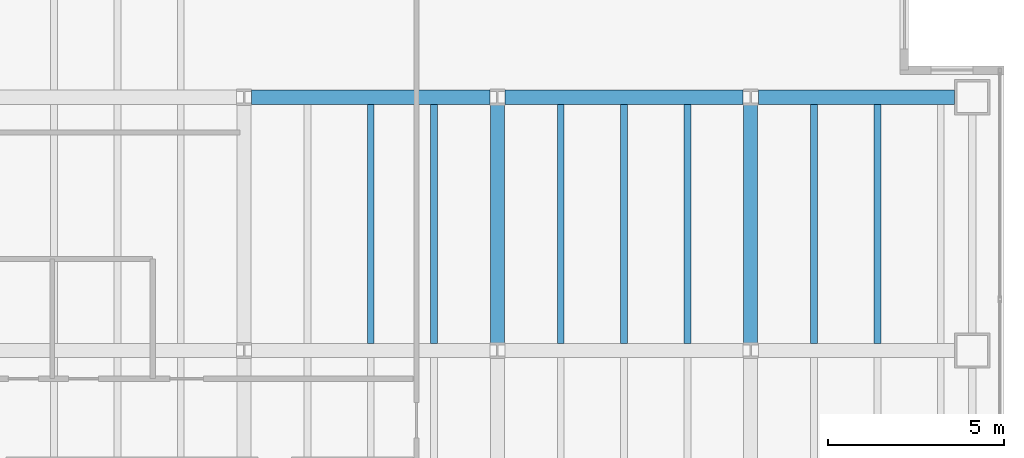
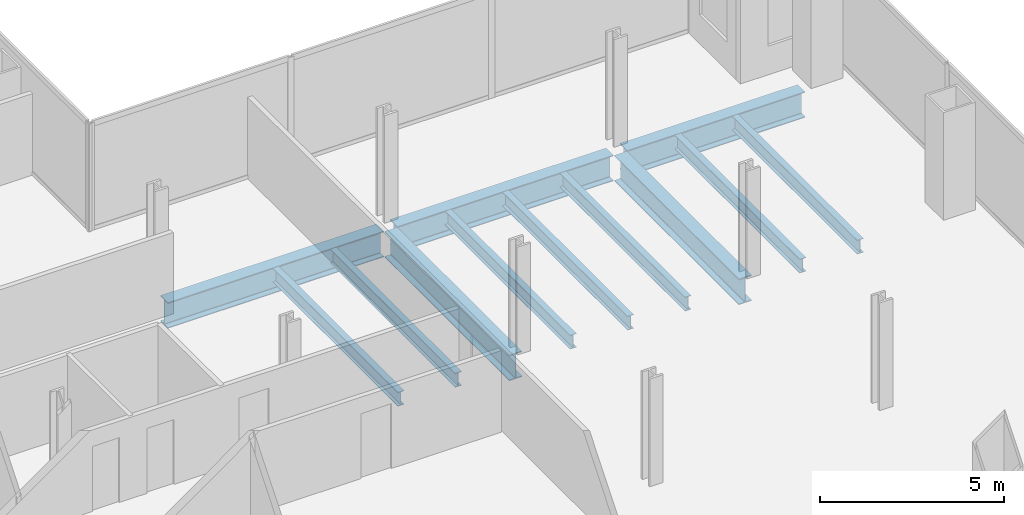
# One storey, part 11 of 23: 12 beams.
"""IFC4 building model written with IfcOpenShell, lengths in metres."""

import ifcopenshell
import ifcopenshell.guid

model = None  # the IFC model being written
_history = None  # IfcOwnerHistory: only IFC2X3 demands one
_inside = {}  # id of a spatial element -> (the spatial element, [elements in it])
_under = {}  # id of a project, library or spatial element -> (it, [spatial elements below it])
_declared = {}  # id of a project -> (the project, [libraries it declares])
_typed = {}  # id of a type object -> (the type object, [elements of that type])
_made_of = {}  # id of a material, layer set ... -> (it, [elements and type objects made of it])


def new_model(schema):
    """Start an empty IFC model of exactly this schema.

    Asked for "IFC4X3", IfcOpenShell would pick the latest addendum, in which some entities
    have other attributes; the version numbers below select the first issue.
    IFC2X3 requires an IfcOwnerHistory on every rooted entity: one is made here for all.
    """
    global model, _history
    if schema == "IFC4X3":
        model = ifcopenshell.file(schema_version=(4, 3, 0, 0))
    else:
        model = ifcopenshell.file(schema=schema)
    _inside.clear()
    _under.clear()
    _declared.clear()
    _typed.clear()
    _made_of.clear()
    _history = None
    if model.schema == "IFC2X3":
        org = make("IfcOrganization", Name="unknown")
        user = make(
            "IfcPersonAndOrganization",
            ThePerson=make("IfcPerson", FamilyName="unknown"),
            TheOrganization=org,
        )
        app = make(
            "IfcApplication",
            ApplicationDeveloper=org,
            Version="unknown",
            ApplicationFullName="unknown",
            ApplicationIdentifier="unknown",
        )
        _history = make(
            "IfcOwnerHistory",
            OwningUser=user,
            OwningApplication=app,
            ChangeAction="ADDED",
            CreationDate=0,
        )
    return model


def make(cls, **values):
    """One entity of the class cls with the attributes given. An attribute that is None is left unset."""
    return model.create_entity(
        cls, **{name: value for name, value in values.items() if value is not None}
    )


def rooted(cls, **values):
    """An entity with a GlobalId (a new one), such as an element, a storey or a relation."""
    return make(cls, GlobalId=ifcopenshell.guid.new(), OwnerHistory=_history, **values)


def si_unit(unit_type, name, prefix=None):
    """IfcSIUnit, for example si_unit("LENGTHUNIT", "METRE", prefix="MILLI")."""
    return make("IfcSIUnit", UnitType=unit_type, Prefix=prefix, Name=name)


def assignment(units):
    """IfcUnitAssignment: the units of a project."""
    return None if units is None else make("IfcUnitAssignment", Units=units)


def point(xyz):
    """IfcCartesianPoint."""
    return None if xyz is None else make("IfcCartesianPoint", Coordinates=xyz)


def direction(xyz):
    """IfcDirection."""
    return None if xyz is None else make("IfcDirection", DirectionRatios=xyz)


def frame(location, z_axis=None, x_axis=None):
    """IfcAxis2Placement3D, a coordinate frame: its origin and axes. An axis left out is left unset."""
    return make(
        "IfcAxis2Placement3D",
        Location=point(location),
        Axis=direction(z_axis),
        RefDirection=direction(x_axis),
    )


def frame_2d(location, x_axis=None):
    """IfcAxis2Placement2D, a coordinate frame in the plane: its origin and x axis."""
    return make(
        "IfcAxis2Placement2D", Location=point(location), RefDirection=direction(x_axis)
    )


def origin():
    """The frame at (0, 0, 0) with its axes left unset."""
    return frame((0.0, 0.0, 0.0))


def origin_2d():
    """The frame at (0, 0) in the plane with its x axis left unset."""
    return frame_2d((0.0, 0.0))


def place(relative_to, where):
    """IfcLocalPlacement: puts the frame where relative to a parent placement (None: the world)."""
    return make(
        "IfcLocalPlacement", PlacementRelTo=relative_to, RelativePlacement=where
    )


def context(
    kind, dimensions, precision=None, world=None, true_north=None, identifier=None
):
    """IfcGeometricRepresentationContext, for example the 3D "Model" context."""
    return make(
        "IfcGeometricRepresentationContext",
        ContextIdentifier=identifier,
        ContextType=kind,
        CoordinateSpaceDimension=dimensions,
        Precision=precision,
        WorldCoordinateSystem=world,
        TrueNorth=true_north,
    )


def subcontext(parent, identifier, kind, view, scale=None):
    """IfcGeometricRepresentationSubContext, for example "Body" below "Model"."""
    return make(
        "IfcGeometricRepresentationSubContext",
        ContextIdentifier=identifier,
        ContextType=kind,
        ParentContext=parent,
        TargetScale=scale,
        TargetView=view,
    )


def project(units=None, contexts=None):
    """IfcProject with its units and contexts."""
    return rooted(
        "IfcProject",
        Name="project",
        RepresentationContexts=contexts,
        UnitsInContext=assignment(units),
    )


def spatial(cls, under=None, at=None, **own):
    """A site, building, storey or space (cls), placed at a placement, below another one or the project."""
    s = rooted(cls, ObjectPlacement=at, **own)
    if under is not None:
        _under.setdefault(under.id(), (under, []))[1].append(s)
    return s


def profile(cls, at=None, kind="AREA", **sizes):
    """A parametric profile (cls). Its sizes go by their IFC names, for example OverallWidth=200.0."""
    return make(cls, ProfileType=kind, Position=at, **sizes)


def i_section(**sizes):
    """IfcIShapeProfileDef."""
    return profile("IfcIShapeProfileDef", **sizes)


def extrude(swept, where, along, depth):
    """IfcExtrudedAreaSolid: the profile swept, set in the frame where, extruded along a direction by depth."""
    return make(
        "IfcExtrudedAreaSolid",
        SweptArea=swept,
        Position=where,
        ExtrudedDirection=direction(along),
        Depth=depth,
    )


def shape(context_of_items, identifier, shape_type, items):
    """IfcShapeRepresentation: the items that make up one representation, for example the "Body"."""
    return make(
        "IfcShapeRepresentation",
        ContextOfItems=context_of_items,
        RepresentationIdentifier=identifier,
        RepresentationType=shape_type,
        Items=items,
    )


def material(Name=None, Category=None):
    """IfcMaterial."""
    return make("IfcMaterial", Name=Name, Category=Category)


def material_profile(
    of_material, cross_section, Name=None, Category=None, Priority=None
):
    """IfcMaterialProfile: a cross section and its material."""
    return make(
        "IfcMaterialProfile",
        Name=Name,
        Material=of_material,
        Profile=cross_section,
        Priority=Priority,
        Category=Category,
    )


def profile_set(profiles, Name=None, composite=None):
    """IfcMaterialProfileSet."""
    return make(
        "IfcMaterialProfileSet",
        Name=Name,
        MaterialProfiles=profiles,
        CompositeProfile=composite,
    )


def made_of(thing, what):
    """Note that an element or type object is made of a material, layer set ...; save() writes the relation."""
    if what is not None:
        _made_of.setdefault(what.id(), (what, []))[1].append(thing)
    return thing


def type_object(cls, material=None, **own):
    """A type object (cls), such as IfcWallType, which elements share."""
    return made_of(rooted(cls, **own), material)


def element(
    cls,
    number,
    at=None,
    inside=None,
    cuts=None,
    type_object=None,
    material=None,
    context=None,
    identifier="Body",
    shape_type=None,
    held_by="IfcProductDefinitionShape",
    body=None,
    shapes=None,
    **own,
):
    """One element of the class cls, such as IfcWall. Its Tag is "e" and its number.

    at: its placement. inside: the storey or other place that contains it. cuts: it is an
    opening in that element (IfcRelVoidsElement). A single representation is given by context,
    identifier, shape_type and body (its items); several are given by shapes. held_by: the class
    of the entity that holds the representations. save() writes the other relations.
    """
    e = rooted(cls, Tag="e%d" % number, ObjectPlacement=at, **own)
    if body is not None:
        shapes = [shape(context, identifier, shape_type, body)]
    if shapes is not None:
        e.Representation = make(held_by, Representations=shapes)
    if inside is not None:
        _inside.setdefault(inside.id(), (inside, []))[1].append(e)
    if cuts is not None:
        rooted(
            "IfcRelVoidsElement", RelatingBuildingElement=cuts, RelatedOpeningElement=e
        )
    if type_object is not None:
        _typed.setdefault(type_object.id(), (type_object, []))[1].append(e)
    return made_of(e, material)


def aggregate(whole, parts):
    """IfcRelAggregates: a whole, such as a stair, and the parts it consists of."""
    return rooted("IfcRelAggregates", RelatingObject=whole, RelatedObjects=parts)


def save(model, path):
    """Write the relations noted so far, then the file.

    IfcRelAggregates (storeys below a building ...), IfcRelContainedInSpatialStructure (elements
    in a storey), IfcRelDefinesByType, IfcRelAssociatesMaterial and IfcRelDeclares: one each for
    every whole, place, type object, material and project.
    """
    for whole, parts in _under.values():
        aggregate(whole, parts)
    for where, things in _inside.values():
        rooted(
            "IfcRelContainedInSpatialStructure",
            RelatedElements=things,
            RelatingStructure=where,
        )
    for kind, things in _typed.values():
        rooted("IfcRelDefinesByType", RelatedObjects=things, RelatingType=kind)
    for what, things in _made_of.values():
        rooted("IfcRelAssociatesMaterial", RelatedObjects=things, RelatingMaterial=what)
    for by, libraries in _declared.values():
        rooted("IfcRelDeclares", RelatingContext=by, RelatedDefinitions=libraries)
    model.write(path)


model = new_model("IFC4")

# Units and contexts
model_context = context("Model", 3, precision=1e-05, world=origin(), true_north=direction((0.0, 1.0)))
body_context = subcontext(model_context, "Body", "Model", "MODEL_VIEW")
ifc_project = project(units=[si_unit("LENGTHUNIT", "METRE"), si_unit("AREAUNIT", "SQUARE_METRE"), si_unit("VOLUMEUNIT", "CUBIC_METRE"), si_unit("PLANEANGLEUNIT", "RADIAN"), si_unit("MASSUNIT", "GRAM", prefix="KILO")], contexts=[model_context])

# Site, building, storey
site_placement = place(None, origin())
site = spatial("IfcSite", under=ifc_project, at=site_placement, CompositionType="ELEMENT")
building_placement = place(site_placement, origin())
building = spatial("IfcBuilding", under=site, at=building_placement, Name="Cobrela Telecom Tower", CompositionType="ELEMENT")
storey_placement = place(building_placement, frame((0.0, 0.0, 65.800048828125)))
storey = spatial("IfcBuildingStorey", under=building, at=storey_placement, Name="L16", CompositionType="ELEMENT", Elevation=65.800048828125)

# Beams
ifc_material = material(Name="Steel ASTM A992 Grade 50", Category="steel")
ifc_material_profile_1 = material_profile(ifc_material, i_section(OverallWidth=0.39892578125, OverallDepth=0.85595703125, WebThickness=0.018310546875, FlangeThickness=0.029296875, FilletRadius=0.02001953125, at=origin_2d()), Name="W33X201")
ifc_profile_set_1 = profile_set([ifc_material_profile_1], Name="Steel ASTM A992 Grade 50")
beam_type_1 = type_object("IfcBeamType", Name="BM-GIRD-03", PredefinedType="USERDEFINED", material=ifc_profile_set_1)
for number, where, z_axis, x_axis, name in (
    (1, (29.01611328125, 21.60009765625, -0.7080078125), (1.0, 0.0, 0.0), (0.0, 1.0, 0.0), "L16 Primary Girder X20"),
    (2, (36.216064453125, 21.60009765625, -0.7080078125), (1.0, 0.0, 0.0), (0.0, 1.0, 0.0), "L16 Primary Girder X21"),
):
    element("IfcBeam", number, at=place(storey_placement, frame(where, z_axis=z_axis, x_axis=x_axis)), inside=storey, type_object=beam_type_1, Name=name, ObjectType="GIRDER", PredefinedType="USERDEFINED", context=body_context, shape_type="SweptSolid", body=[
        extrude(i_section(OverallWidth=0.39892578125, OverallDepth=0.85595703125, WebThickness=0.018310546875, FlangeThickness=0.029296875, FilletRadius=0.02001953125, at=origin_2d()), origin(), (0.0, 0.0, 1.0), 6.767822265625),
    ])
beam_placement = place(storey_placement, frame((43.416015625, 21.60009765625, -0.7080078125), z_axis=(1.0, 0.0, 0.0), x_axis=(0.0, 1.0, 0.0)))
element("IfcBeam", 3, at=beam_placement, inside=storey, type_object=beam_type_1, Name="L16 Primary Girder X22", ObjectType="GIRDER", PredefinedType="USERDEFINED", context=body_context, shape_type="SweptSolid", body=[
    extrude(i_section(OverallWidth=0.39892578125, OverallDepth=0.85595703125, WebThickness=0.018310546875, FlangeThickness=0.029296875, FilletRadius=0.02001953125, at=origin_2d()), origin(), (0.0, 0.0, 1.0), 5.5791015625),
])
for number, where, z_axis, x_axis, name in (
    (4, (36.0, 14.615966796875, -0.7080078125), (0.0, 1.0, 0.0), (-1.0, 0.0, 0.0), "L16 Primary Girder Y52"),
    (5, (43.199951171875, 14.615966796875, -0.7080078125), (0.0, 1.0, 0.0), (-1.0, 0.0, 0.0), "L16 Primary Girder Y55"),
):
    element("IfcBeam", number, at=place(storey_placement, frame(where, z_axis=z_axis, x_axis=x_axis)), inside=storey, type_object=beam_type_1, Name=name, ObjectType="GIRDER", PredefinedType="USERDEFINED", context=body_context, shape_type="SweptSolid", body=[
        extrude(i_section(OverallWidth=0.39892578125, OverallDepth=0.85595703125, WebThickness=0.018310546875, FlangeThickness=0.029296875, FilletRadius=0.02001953125, at=origin_2d()), origin(), (0.0, 0.0, 1.0), 6.76806640625),
    ])
ifc_material_profile_2 = material_profile(ifc_material, i_section(OverallWidth=0.193115234375, OverallDepth=0.467041015625, WebThickness=0.011474609375, FlangeThickness=0.01904296875, FilletRadius=0.012939453125, at=origin_2d()), Name="W18X65")
ifc_profile_set_2 = profile_set([ifc_material_profile_2], Name="Steel ASTM A992 Grade 50")
beam_type_2 = type_object("IfcBeamType", Name="BM-JOIST-03", PredefinedType="JOIST", material=ifc_profile_set_2)
for number, where, z_axis, x_axis, name in (
    (6, (32.39990234375, 14.6044921875, -0.513427734375), (0.0, 1.0, 0.0), (-1.0, 0.0, 0.0), "L16 Secondary Composite Floor Beam J46"),
    (7, (34.199951171875, 14.6044921875, -0.513427734375), (0.0, 1.0, 0.0), (-1.0, 0.0, 0.0), "L16 Secondary Composite Floor Beam J49"),
    (8, (37.800048828125, 14.6044921875, -0.513427734375), (0.0, 1.0, 0.0), (-1.0, 0.0, 0.0), "L16 Secondary Composite Floor Beam J52"),
    (9, (39.60009765625, 14.6044921875, -0.513427734375), (0.0, 1.0, 0.0), (-1.0, 0.0, 0.0), "L16 Secondary Composite Floor Beam J55"),
    (10, (41.39990234375, 14.6044921875, -0.513427734375), (0.0, 1.0, 0.0), (-1.0, 0.0, 0.0), "L16 Secondary Composite Floor Beam J58"),
    (11, (45.0, 14.6044921875, -0.513427734375), (0.0, 1.0, 0.0), (-1.0, 0.0, 0.0), "L16 Secondary Composite Floor Beam J60"),
    (12, (46.800048828125, 14.6044921875, -0.513427734375), (0.0, 1.0, 0.0), (-1.0, 0.0, 0.0), "L16 Secondary Composite Floor Beam J62"),
):
    element("IfcBeam", number, at=place(storey_placement, frame(where, z_axis=z_axis, x_axis=x_axis)), inside=storey, type_object=beam_type_2, Name=name, PredefinedType="JOIST", context=body_context, shape_type="SweptSolid", body=[
        extrude(i_section(OverallWidth=0.193115234375, OverallDepth=0.467041015625, WebThickness=0.011474609375, FlangeThickness=0.01904296875, FilletRadius=0.012939453125, at=origin_2d()), origin(), (0.0, 0.0, 1.0), 6.791015625),
    ])

save(model, "model.ifc")
